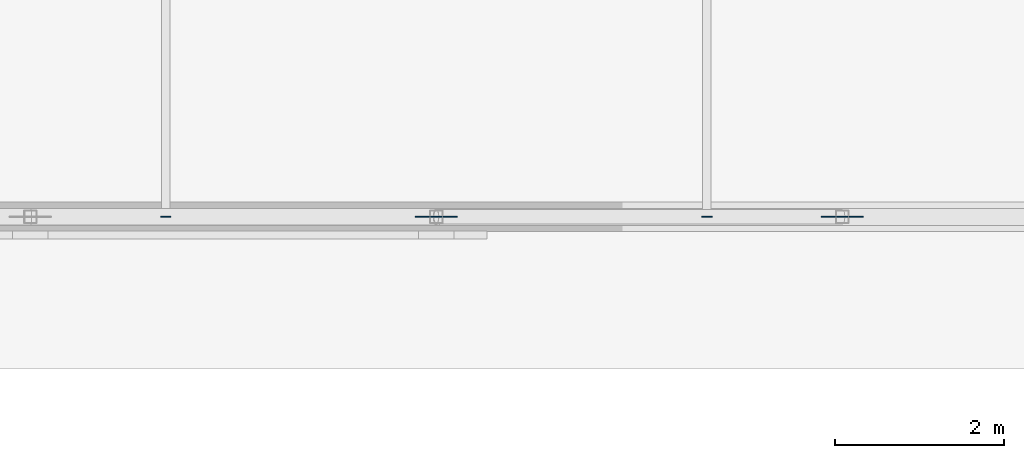
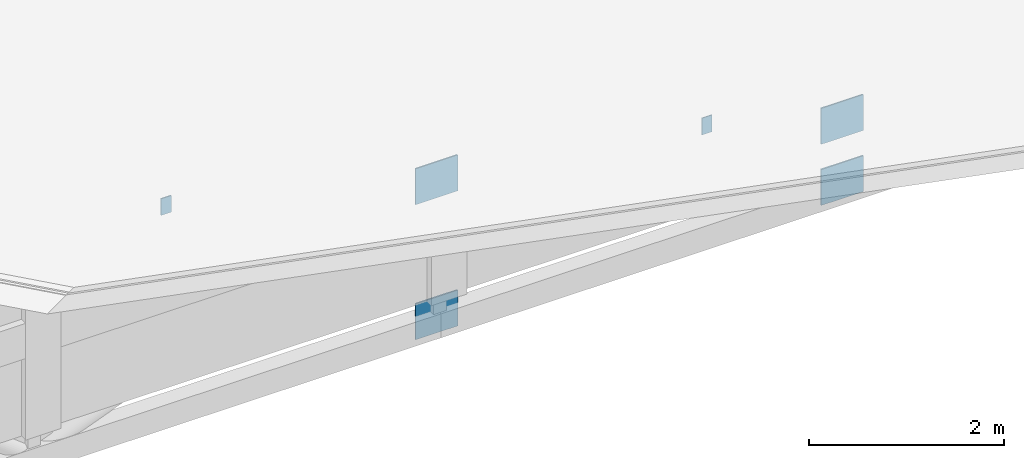
# One storey, part 147 of 200: 6 plates.
"""IFC4 building model written with IfcOpenShell, lengths in metres."""

from ifc_helpers import new_model, si_unit, direction, frame, origin, origin_2d, place, context, subcontext, project, spatial, rectangle, extrude, material, layer, layer_set, type_object, element, save


model = new_model("IFC4")

# Units and contexts
model_context = context("Model", 3, precision=1e-05, world=origin(), true_north=direction((0.0, 1.0)))
body_context = subcontext(model_context, "Body", "Model", "MODEL_VIEW")
ifc_project = project(units=[si_unit("LENGTHUNIT", "METRE"), si_unit("AREAUNIT", "SQUARE_METRE"), si_unit("VOLUMEUNIT", "CUBIC_METRE"), si_unit("PLANEANGLEUNIT", "RADIAN"), si_unit("MASSUNIT", "GRAM", prefix="KILO")], contexts=[model_context])

# Site, building, storey
site_placement = place(None, origin())
site = spatial("IfcSite", under=ifc_project, at=site_placement, CompositionType="ELEMENT")
building_placement = place(site_placement, origin())
building = spatial("IfcBuilding", under=site, at=building_placement, Name="Vondelvale Polytechnic", CompositionType="ELEMENT")
storey_placement = place(building_placement, frame((0.0, 0.0, 13.800048828125)))
storey = spatial("IfcBuildingStorey", under=building, at=storey_placement, Name="L03", CompositionType="ELEMENT", Elevation=13.800048828125)

# Plates
ifc_material = material(Name="Steel Grade 350 (fy = 340 MPa)", Category="steel")
ifc_layer_1 = layer(ifc_material, 0.011962890625)
ifc_layer_set_1 = layer_set([ifc_layer_1], Name="PLATE-CAP-C04")
plate_type_1 = type_object("IfcPlateType", Name="PLATE-CAP-C04", PredefinedType="USERDEFINED", material=ifc_layer_set_1)
for number, where, z_axis, x_axis, name in (
    (1, (35.199951171875, 51.0, 2.04296875), (0.0, 0.0, 1.0), (1.0, 0.0, 0.0), "Workshop purlin South end cap plate 8"),
    (2, (41.60009765625, 51.0, 0.8095703125), (0.0, 0.0, 1.0), (1.0, 0.0, 0.0), "Workshop purlin South end cap plate 9"),
):
    element("IfcPlate", number, at=place(storey_placement, frame(where, z_axis=z_axis, x_axis=x_axis)), inside=storey, type_object=plate_type_1, Name=name, ObjectType="CAP_PLATE", PredefinedType="USERDEFINED", context=body_context, shape_type="SweptSolid", body=[
        extrude(rectangle(XDim=0.1201171875, YDim=0.011962890625, at=origin_2d()), origin(), (0.0, 0.0, 1.0), 0.2099609375),
    ])
ifc_layer_2 = layer(ifc_material, 0.01611328125)
ifc_layer_set_2 = layer_set([ifc_layer_2], Name="PLATE-GUSSET-16")
plate_type_2 = type_object("IfcPlateType", Name="PLATE-GUSSET-16", PredefinedType="USERDEFINED", material=ifc_layer_set_2)
for number, where, z_axis, x_axis, name in (
    (3, (38.39990234375, 51.0, 1.125), (0.0, 0.0, 1.0), (1.0, 0.0, 0.0), "ROOF TRUSS top chord gusset node plate 7"),
    (4, (38.39990234375, 51.0, -0.56494140625), (0.0, 0.0, 1.0), (1.0, 0.0, 0.0), "ROOF TRUSS bottom chord gusset node plate 7"),
    (5, (43.199951171875, 51.0, 0.2001953125), (0.0, 0.0, 1.0), (1.0, 0.0, 0.0), "ROOF TRUSS top chord gusset node plate 8"),
    (6, (43.199951171875, 51.0, -0.56494140625), (0.0, 0.0, 1.0), (1.0, 0.0, 0.0), "ROOF TRUSS bottom chord gusset node plate 8"),
):
    element("IfcPlate", number, at=place(storey_placement, frame(where, z_axis=z_axis, x_axis=x_axis)), inside=storey, type_object=plate_type_2, Name=name, ObjectType="GUSSET_PLATE", PredefinedType="USERDEFINED", context=body_context, shape_type="SweptSolid", body=[
        extrude(rectangle(XDim=0.5, YDim=0.01611328125, at=origin_2d()), origin(), (0.0, 0.0, 1.0), 0.449951171875),
    ])

save(model, "model.ifc")
